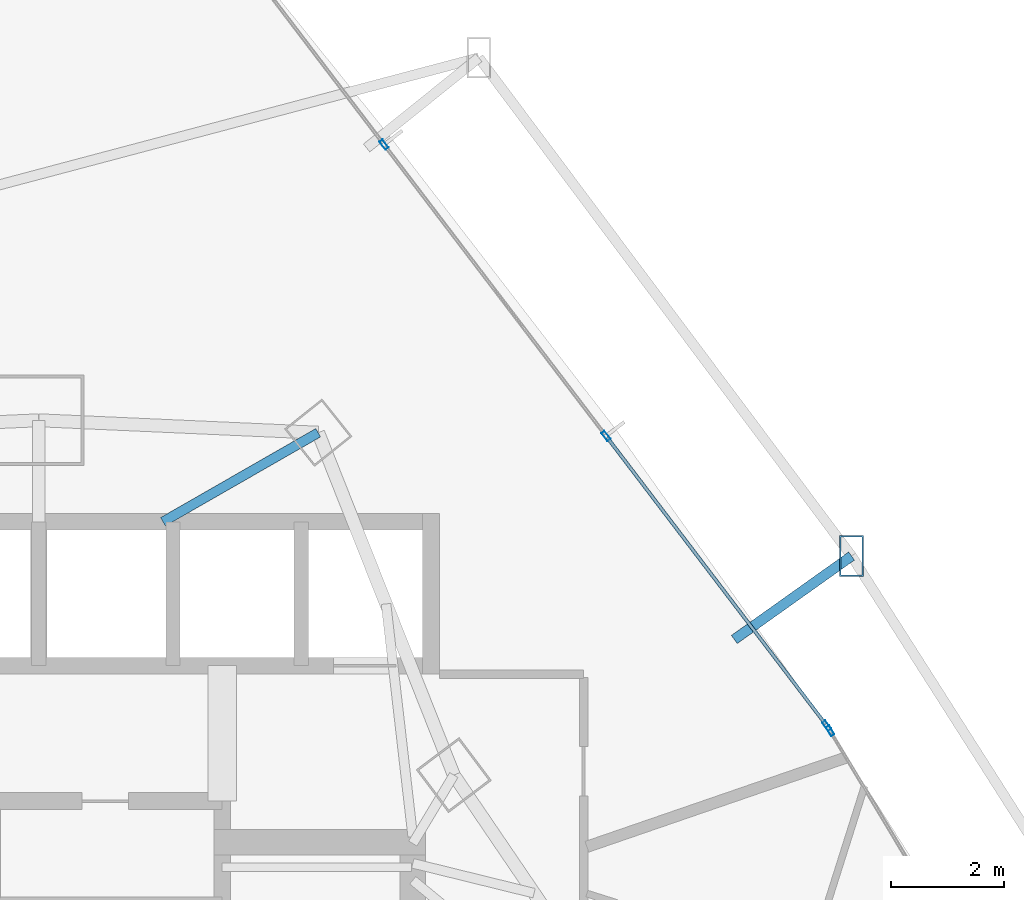
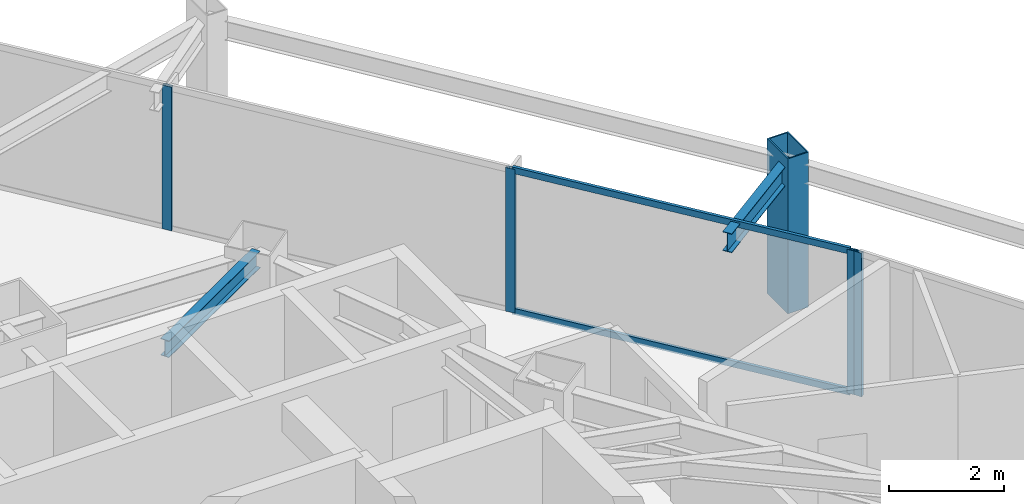
# One storey, part 27 of 35: 7 members, 2 beams, 2 elements without a shape of their own.
"""IFC4 building model written with IfcOpenShell, lengths in metres."""

from ifc_helpers import new_model, si_unit, direction, frame, origin, origin_2d, place, context, subcontext, project, spatial, hollow_rectangle, i_section, extrude, material, layer, layer_set, material_profile, profile_set, type_object, element, aggregate, save


model = new_model("IFC4")

# Units and contexts
model_context = context("Model", 3, precision=1e-05, world=origin(), true_north=direction((0.0, 1.0)))
body_context = subcontext(model_context, "Body", "Model", "MODEL_VIEW")
ifc_project = project(units=[si_unit("LENGTHUNIT", "METRE"), si_unit("AREAUNIT", "SQUARE_METRE"), si_unit("VOLUMEUNIT", "CUBIC_METRE"), si_unit("PLANEANGLEUNIT", "RADIAN"), si_unit("MASSUNIT", "GRAM", prefix="KILO")], contexts=[model_context])

# Site, building, storey
site_placement = place(None, origin())
site = spatial("IfcSite", under=ifc_project, at=site_placement, CompositionType="ELEMENT")
building_placement = place(site_placement, origin())
building = spatial("IfcBuilding", under=site, at=building_placement, Name="Orvanel Arch Residences", CompositionType="ELEMENT")
storey_placement = place(building_placement, frame((0.0, 0.0, 33.5)))
storey = spatial("IfcBuildingStorey", under=building, at=storey_placement, Name="L08", CompositionType="ELEMENT", Elevation=33.5)

# Beam
ifc_material_1 = material(Name="Structural steel AS/NZS 3679.1 Grade 300 (300 MPa)", Category="steel")
ifc_material_profile_1 = material_profile(ifc_material_1, i_section(OverallWidth=0.1708984375, OverallDepth=0.35595703125, WebThickness=0.00732421875, FlangeThickness=0.011474609375, at=origin_2d()), Name="360UB50.7")
ifc_profile_set_1 = profile_set([ifc_material_profile_1], Name="Structural steel AS/NZS 3679.1 Grade 300 (300 MPa)")
beam_type_1 = type_object("IfcBeamType", Name="BJ-360UB", PredefinedType="JOIST", material=ifc_profile_set_1)
beam_1_placement = place(storey_placement, frame((35.199951171875, 39.60009765625, 2.882080078125), z_axis=(0.86736513383, 0.497672306458, 0.0), x_axis=(-0.497672306458, 0.86736513383, 0.0)))
element("IfcBeam", 1, at=beam_1_placement, inside=storey, type_object=beam_type_1, Name="L08 MNE Wing Floor Joist", PredefinedType="JOIST", context=body_context, shape_type="SweptSolid", body=[
    extrude(i_section(OverallWidth=0.1708984375, OverallDepth=0.35595703125, WebThickness=0.00732421875, FlangeThickness=0.011474609375, at=origin_2d()), origin(), (0.0, 0.0, 1.0), 3.17041015625),
])

# Member
ifc_material_2 = material(Name="Structural steel AS/NZS 3678 Grade 350", Category="steel")
ifc_material_profile_2 = material_profile(ifc_material_2, hollow_rectangle(XDim=0.419921875, YDim=0.719970703125, WallThickness=0.02490234375, at=origin_2d()), Name="RHS720x420x25")
ifc_profile_set_2 = profile_set([ifc_material_profile_2], Name="Structural steel AS/NZS 3678 Grade 350")
member_type_1 = type_object("IfcMemberType", Name="CH-720RHS-EXT", PredefinedType="CHORD", material=ifc_profile_set_2)
member_1_placement = place(storey_placement, frame((47.39794921875, 38.992919921875, 0.0), z_axis=(0.0, 0.0, 1.0), x_axis=(1.0, 0.0, 0.0)))
element("IfcMember", 2, at=member_1_placement, inside=storey, type_object=member_type_1, Name="L08 Outer Perimeter Frame Post 11", PredefinedType="CHORD", context=body_context, shape_type="SweptSolid", body=[
    extrude(hollow_rectangle(XDim=0.419921875, YDim=0.719970703125, WallThickness=0.02490234375, at=origin_2d()), origin(), (0.0, 0.0, 1.0), 3.300048828125),
])

# Curtain wall, member
ifc_material_3 = material(Name="Bronze-anodised aluminium AA6063-T6", Category="aluminium")
ifc_layer = layer(ifc_material_3, 0.179931640625)
ifc_layer_set = layer_set([ifc_layer], Name="Bronze-anodised aluminium AA6063-T6")
curtain_wall_type = type_object("IfcCurtainWallType", Name="CW2-LOW-SYS", PredefinedType="NOTDEFINED", material=ifc_layer_set)
curtain_wall_1_placement = place(storey_placement, origin())
curtain_wall_1 = element("IfcCurtainWall", 3, at=curtain_wall_1_placement, inside=storey, type_object=curtain_wall_type, Name="L08 CW2-LOW-SYS Unitised Curtain Wall", PredefinedType="NOTDEFINED")
ifc_material_profile_3 = material_profile(ifc_material_3, hollow_rectangle(XDim=0.070068359375, YDim=0.179931640625, WallThickness=0.00439453125, at=origin_2d()), Name="ALU180x70x4.5")
ifc_profile_set_3 = profile_set([ifc_material_profile_3], Name="Bronze-anodised aluminium AA6063-T6")
member_type_2 = type_object("IfcMemberType", Name="MUL-180x70", PredefinedType="MULLION", material=ifc_profile_set_3)
member_2_placement = place(storey_placement, frame((47.01904296875, 35.89697265625, 0.0), z_axis=(0.0, 0.0, 1.0), x_axis=(-0.857554559604, -0.514393018326, 0.0)))
member_2 = element("IfcMember", 4, at=member_2_placement, type_object=member_type_2, Name="CW-S2 mullion 3", PredefinedType="MULLION", context=body_context, shape_type="SweptSolid", body=[
    extrude(hollow_rectangle(XDim=0.070068359375, YDim=0.179931640625, WallThickness=0.00439453125, at=origin_2d()), origin(), (0.0, 0.0, 1.0), 3.06005859375),
])
aggregate(curtain_wall_1, [member_2])

# Curtain wall, members
curtain_wall_2_placement = place(storey_placement, origin())
curtain_wall_2 = element("IfcCurtainWall", 5, at=curtain_wall_2_placement, inside=storey, type_object=curtain_wall_type, Name="L08 CW2-LOW-SYS Unitised Curtain Wall", PredefinedType="NOTDEFINED")
member_3_placement = place(storey_placement, frame((46.957763671875, 35.98779296875, 0.0), z_axis=(0.0, 0.0, 1.0), x_axis=(-0.795451769988, -0.606016898793, 0.0)))
member_3 = element("IfcMember", 6, at=member_3_placement, type_object=member_type_2, Name="CW-S2 mullion 1", PredefinedType="MULLION", context=body_context, shape_type="SweptSolid", body=[
    extrude(hollow_rectangle(XDim=0.070068359375, YDim=0.179931640625, WallThickness=0.00439453125, at=origin_2d()), origin(), (0.0, 0.0, 1.0), 3.06005859375),
])
member_4_placement = place(storey_placement, frame((43.04736328125, 41.12060546875, 0.0), z_axis=(0.0, 0.0, 1.0), x_axis=(-0.795451769988, -0.606016898793, 0.0)))
member_4 = element("IfcMember", 7, at=member_4_placement, type_object=member_type_2, Name="CW-S2 mullion 2", PredefinedType="MULLION", context=body_context, shape_type="SweptSolid", body=[
    extrude(hollow_rectangle(XDim=0.070068359375, YDim=0.179931640625, WallThickness=0.00439453125, at=origin_2d()), origin(), (0.0, 0.0, 1.0), 3.06005859375),
])
member_5_placement = place(storey_placement, frame((39.11572265625, 46.28125, 0.0), z_axis=(0.0, 0.0, 1.0), x_axis=(-0.795451769988, -0.606016898793, 0.0)))
member_5 = element("IfcMember", 8, at=member_5_placement, type_object=member_type_2, Name="CW-S2 mullion 3", PredefinedType="MULLION", context=body_context, shape_type="SweptSolid", body=[
    extrude(hollow_rectangle(XDim=0.070068359375, YDim=0.179931640625, WallThickness=0.00439453125, at=origin_2d()), origin(), (0.0, 0.0, 1.0), 3.06005859375),
])

# Beam
ifc_material_profile_4 = material_profile(ifc_material_1, i_section(OverallWidth=0.177978515625, OverallDepth=0.406005859375, WebThickness=0.0078125, FlangeThickness=0.0126953125, at=origin_2d()), Name="410UB59.7")
ifc_profile_set_4 = profile_set([ifc_material_profile_4], Name="Structural steel AS/NZS 3679.1 Grade 300 (300 MPa)")
beam_type_2 = type_object("IfcBeamType", Name="OB-410UB-EXT", PredefinedType="SPANDREL", material=ifc_profile_set_4)
beam_2_placement = place(storey_placement, frame((45.321044921875, 37.514892578125, 2.85693359375), z_axis=(0.81474820752, 0.579814934563, 0.0), x_axis=(-0.579814934563, 0.81474820752, 0.0)))
element("IfcBeam", 9, at=beam_2_placement, inside=storey, type_object=beam_type_2, Name="L08 Outer Frame Radial Tie Beam 11", PredefinedType="SPANDREL", context=body_context, shape_type="SweptSolid", body=[
    extrude(i_section(OverallWidth=0.177978515625, OverallDepth=0.406005859375, WebThickness=0.0078125, FlangeThickness=0.0126953125, at=origin_2d()), origin(), (0.0, 0.0, 1.0), 2.549072265625),
])

# Member
ifc_material_profile_5 = material_profile(ifc_material_3, hollow_rectangle(XDim=0.06005859375, YDim=0.135009765625, WallThickness=0.00390625, at=origin_2d()), Name="ALU135x60x4")
ifc_profile_set_5 = profile_set([ifc_material_profile_5], Name="Bronze-anodised aluminium AA6063-T6")
member_type_3 = type_object("IfcMemberType", Name="TRN-135x60", PredefinedType="USERDEFINED", material=ifc_profile_set_5)
member_6_placement = place(storey_placement, frame((46.9365234375, 36.015625, 0.030029296875), z_axis=(-0.606005183428, 0.795460695232, 0.0), x_axis=(-0.795460695232, -0.606005183428, 0.0)))
member_6 = element("IfcMember", 10, at=member_6_placement, type_object=member_type_3, Name="CW-S2 transom 1.1", ObjectType="TRANSOM", PredefinedType="USERDEFINED", context=body_context, shape_type="SweptSolid", body=[
    extrude(hollow_rectangle(XDim=0.06005859375, YDim=0.135009765625, WallThickness=0.00390625, at=origin_2d()), origin(), (0.0, 0.0, 1.0), 6.382568359375),
])

member_7_placement = place(storey_placement, frame((46.9365234375, 36.015625, 3.030029296875), z_axis=(-0.606005183428, 0.795460695232, 0.0), x_axis=(-0.795460695232, -0.606005183428, 0.0)))
member_7 = element("IfcMember", 11, at=member_7_placement, type_object=member_type_3, Name="CW-S2 transom 1.2", ObjectType="TRANSOM", PredefinedType="USERDEFINED", context=body_context, shape_type="SweptSolid", body=[
    extrude(hollow_rectangle(XDim=0.06005859375, YDim=0.135009765625, WallThickness=0.00390625, at=origin_2d()), origin(), (0.0, 0.0, 1.0), 6.382568359375),
])

aggregate(curtain_wall_2, [member_3, member_4, member_5, member_6, member_7])

save(model, "model.ifc")
